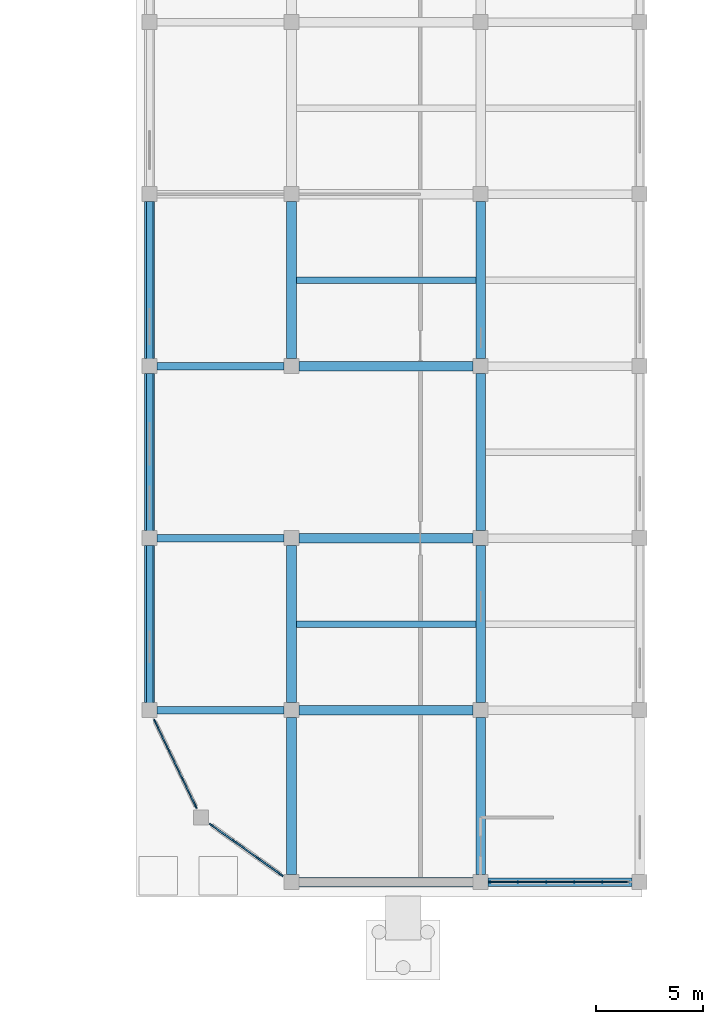
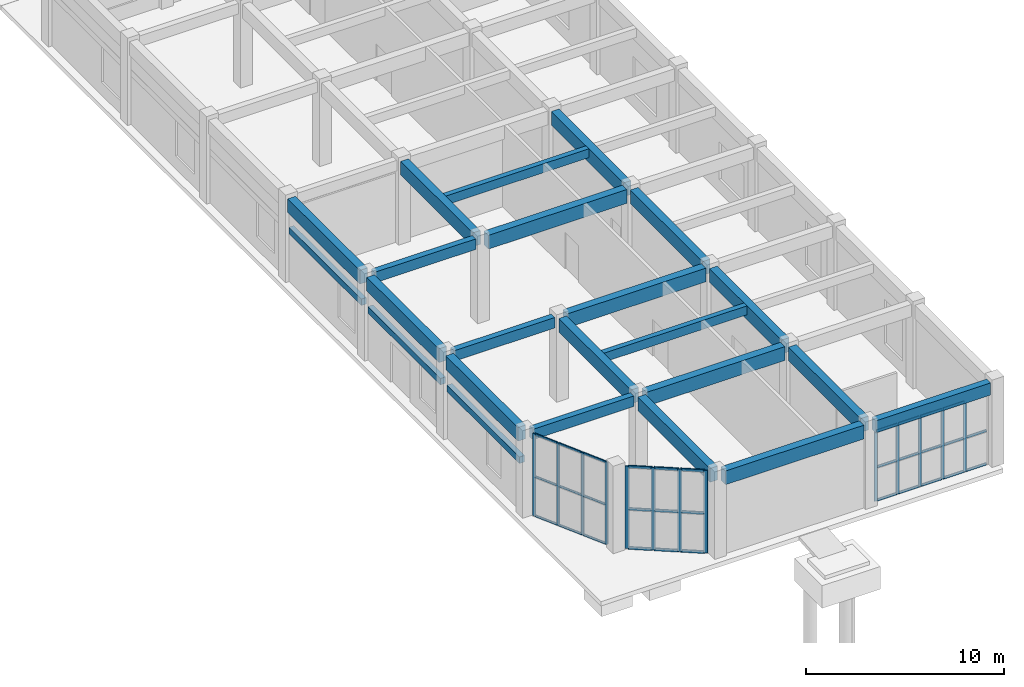
# One storey, part 17 of 46: 45 members, 23 beams, 3 elements without a shape of their own.
"""IFC4 building model written with IfcOpenShell, lengths in metres."""

from ifc_helpers import new_model, si_unit, direction, frame, origin, origin_2d, place, context, subcontext, project, spatial, rectangle, extrude, material, layer, layer_set, material_profile, profile_set, type_object, element, aggregate, save


model = new_model("IFC4")

# Units and contexts
model_context = context("Model", 3, precision=1e-05, world=origin(), true_north=direction((0.0, 1.0)))
body_context = subcontext(model_context, "Body", "Model", "MODEL_VIEW")
ifc_project = project(units=[si_unit("LENGTHUNIT", "METRE"), si_unit("AREAUNIT", "SQUARE_METRE"), si_unit("VOLUMEUNIT", "CUBIC_METRE"), si_unit("PLANEANGLEUNIT", "RADIAN"), si_unit("MASSUNIT", "GRAM", prefix="KILO")], contexts=[model_context])

# Site, building, storey
site_placement = place(None, origin())
site = spatial("IfcSite", under=ifc_project, at=site_placement, CompositionType="ELEMENT")
building_placement = place(site_placement, origin())
building = spatial("IfcBuilding", under=site, at=building_placement, Name="Cinchona Park Media Centre", CompositionType="ELEMENT")
storey_placement = place(building_placement, origin())
storey = spatial("IfcBuildingStorey", under=building, at=storey_placement, Name="L00", CompositionType="ELEMENT", Elevation=0.0)

# Beams
ifc_material_1 = material(Name="Concrete C35/45", Category="concrete")
ifc_material_profile_1 = material_profile(ifc_material_1, rectangle(XDim=0.39990234375, YDim=0.75, at=origin_2d()), Name="RB 400X750")
ifc_profile_set_1 = profile_set([ifc_material_profile_1], Name="Concrete C35/45")
beam_type_1 = type_object("IfcBeamType", Name="BEAM-B01-RB400X750", PredefinedType="BEAM", material=ifc_profile_set_1)
beam_placement = place(storey_placement, frame((164.949951171875, 7.60009765625, 4.764892578125), z_axis=(1.0, 0.0, 0.0), x_axis=(0.0, 1.0, 0.0)))
element("IfcBeam", 1, at=beam_placement, inside=storey, type_object=beam_type_1, Name="Beam B01 L00", PredefinedType="BEAM", context=body_context, shape_type="SweptSolid", body=[
    extrude(rectangle(XDim=0.39990234375, YDim=0.75, at=origin_2d()), origin(), (0.0, 0.0, 1.0), 6.699951171875),
])
ifc_material_2 = material(Name="Concrete C35/45", Category="concrete")
ifc_material_profile_2 = material_profile(ifc_material_2, rectangle(XDim=0.449951171875, YDim=0.85009765625, at=origin_2d()), Name="RB 450X850")
ifc_profile_set_2 = profile_set([ifc_material_profile_2], Name="Concrete C35/45")
beam_type_2 = type_object("IfcBeamType", Name="BEAM-B02-RB450X850", PredefinedType="BEAM", material=ifc_profile_set_2)
for number, where, z_axis, x_axis, name in (
    (2, (156.14990234375, 7.60009765625, 4.715087890625), (1.0, 0.0, 0.0), (0.0, 1.0, 0.0), "Beam B02 L00"),
    (3, (156.14990234375, 15.60009765625, 4.715087890625), (1.0, 0.0, 0.0), (0.0, 1.0, 0.0), "Beam B02 L00"),
    (4, (156.14990234375, 23.60009765625, 4.715087890625), (1.0, 0.0, 0.0), (0.0, 1.0, 0.0), "Beam B02 L00"),
    (5, (156.14990234375, 31.60009765625, 4.715087890625), (1.0, 0.0, 0.0), (0.0, 1.0, 0.0), "Beam B02 L00"),
):
    element("IfcBeam", number, at=place(storey_placement, frame(where, z_axis=z_axis, x_axis=x_axis)), inside=storey, type_object=beam_type_2, Name=name, PredefinedType="BEAM", context=body_context, shape_type="SweptSolid", body=[
        extrude(rectangle(XDim=0.449951171875, YDim=0.85009765625, at=origin_2d()), origin(), (0.0, 0.0, 1.0), 8.10009765625),
    ])
for number, where, z_axis, x_axis, name in (
    (6, (149.199951171875, 15.949951171875, 4.715087890625), (0.0, 1.0, 0.0), (-1.0, 0.0, 0.0), "Girder B02 L00"),
    (7, (149.199951171875, 23.949951171875, 4.715087890625), (0.0, 1.0, 0.0), (-1.0, 0.0, 0.0), "Girder B02 L00"),
    (8, (149.199951171875, 31.949951171875, 4.715087890625), (0.0, 1.0, 0.0), (-1.0, 0.0, 0.0), "Girder B02 L00"),
    (9, (155.800048828125, 7.949951171875, 4.715087890625), (0.0, 1.0, 0.0), (-1.0, 0.0, 0.0), "Girder B02 L00"),
    (10, (155.800048828125, 15.949951171875, 4.715087890625), (0.0, 1.0, 0.0), (-1.0, 0.0, 0.0), "Girder B02 L00"),
    (11, (155.800048828125, 31.949951171875, 4.715087890625), (0.0, 1.0, 0.0), (-1.0, 0.0, 0.0), "Girder B02 L00"),
    (12, (164.60009765625, 7.949951171875, 4.715087890625), (0.0, 1.0, 0.0), (-1.0, 0.0, 0.0), "Girder B02 L00"),
    (13, (164.60009765625, 15.949951171875, 4.715087890625), (0.0, 1.0, 0.0), (-1.0, 0.0, 0.0), "Girder B02 L00"),
    (14, (164.60009765625, 23.949951171875, 4.715087890625), (0.0, 1.0, 0.0), (-1.0, 0.0, 0.0), "Girder B02 L00"),
    (15, (164.60009765625, 31.949951171875, 4.715087890625), (0.0, 1.0, 0.0), (-1.0, 0.0, 0.0), "Girder B02 L00"),
):
    element("IfcBeam", number, at=place(storey_placement, frame(where, z_axis=z_axis, x_axis=x_axis)), inside=storey, type_object=beam_type_2, Name=name, PredefinedType="BEAM", context=body_context, shape_type="SweptSolid", body=[
        extrude(rectangle(XDim=0.449951171875, YDim=0.85009765625, at=origin_2d()), origin(), (0.0, 0.0, 1.0), 7.300048828125),
    ])
ifc_material_3 = material(Name="Concrete C35/45", Category="concrete")
ifc_material_profile_3 = material_profile(ifc_material_3, rectangle(XDim=0.35009765625, YDim=0.64990234375, at=origin_2d()), Name="RB 350X650")
ifc_profile_set_3 = profile_set([ifc_material_profile_3], Name="Concrete C35/45")
beam_type_3 = type_object("IfcBeamType", Name="BEAM-B04-RB350X650", PredefinedType="BEAM", material=ifc_profile_set_3)
for number, where, z_axis, x_axis, name in (
    (16, (149.550048828125, 15.60009765625, 4.81494140625), (1.0, 0.0, 0.0), (0.0, 1.0, 0.0), "Beam B04 L00"),
    (17, (149.550048828125, 23.60009765625, 4.81494140625), (1.0, 0.0, 0.0), (0.0, 1.0, 0.0), "Beam B04 L00"),
    (18, (149.550048828125, 31.60009765625, 4.81494140625), (1.0, 0.0, 0.0), (0.0, 1.0, 0.0), "Beam B04 L00"),
):
    element("IfcBeam", number, at=place(storey_placement, frame(where, z_axis=z_axis, x_axis=x_axis)), inside=storey, type_object=beam_type_3, Name=name, PredefinedType="BEAM", context=body_context, shape_type="SweptSolid", body=[
        extrude(rectangle(XDim=0.35009765625, YDim=0.64990234375, at=origin_2d()), origin(), (0.0, 0.0, 1.0), 5.89990234375),
    ])
ifc_material_4 = material(Name="Concrete C35/45", Category="concrete")
ifc_material_profile_4 = material_profile(ifc_material_4, rectangle(XDim=0.300048828125, YDim=0.550048828125, at=origin_2d()), Name="RB 300X550")
ifc_profile_set_4 = profile_set([ifc_material_profile_4], Name="Concrete C35/45")
beam_type_4 = type_object("IfcBeamType", Name="BEAM-J01-RB300X550", PredefinedType="JOIST", material=ifc_profile_set_4)
for number, where, z_axis, x_axis, name in (
    (19, (156.02490234375, 19.60009765625, 4.864990234375), (1.0, 0.0, 0.0), (0.0, 1.0, 0.0), "Floor Joist J01 L00"),
    (20, (156.02490234375, 35.60009765625, 4.864990234375), (1.0, 0.0, 0.0), (0.0, 1.0, 0.0), "Floor Joist J01 L00"),
):
    element("IfcBeam", number, at=place(storey_placement, frame(where, z_axis=z_axis, x_axis=x_axis)), inside=storey, type_object=beam_type_4, Name=name, PredefinedType="JOIST", context=body_context, shape_type="SweptSolid", body=[
        extrude(rectangle(XDim=0.300048828125, YDim=0.550048828125, at=origin_2d()), origin(), (0.0, 0.0, 1.0), 8.35009765625),
    ])
ifc_material_5 = material(Name="Concrete C35/45", Category="concrete")
ifc_material_profile_5 = material_profile(ifc_material_5, rectangle(XDim=0.300048828125, YDim=0.39990234375, at=origin_2d()), Name="RL 300X400")
ifc_profile_set_5 = profile_set([ifc_material_profile_5], Name="Concrete C35/45")
beam_type_5 = type_object("IfcBeamType", Name="BEAM-LN02-RL300X400", PredefinedType="LINTEL", material=ifc_profile_set_5)
for number, where, z_axis, x_axis, name in (
    (21, (149.199951171875, 15.929931640625, 3.10009765625), (0.0, 1.0, 0.0), (-1.0, 0.0, 0.0), "Window Lintel LN02"),
    (22, (149.199951171875, 23.929931640625, 3.10009765625), (0.0, 1.0, 0.0), (-1.0, 0.0, 0.0), "Window Lintel LN02"),
    (23, (149.199951171875, 31.929931640625, 3.14990234375), (0.0, 1.0, 0.0), (-1.0, 0.0, 0.0), "Window Lintel LN02"),
):
    element("IfcBeam", number, at=place(storey_placement, frame(where, z_axis=z_axis, x_axis=x_axis)), inside=storey, type_object=beam_type_5, Name=name, PredefinedType="LINTEL", context=body_context, shape_type="SweptSolid", body=[
        extrude(rectangle(XDim=0.300048828125, YDim=0.39990234375, at=origin_2d()), origin(), (0.0, 0.0, 1.0), 7.340087890625),
    ])

# Curtain wall, members
ifc_material_6 = material(Name="Aluminium Curtain Wall Framing", Category="aluminium")
ifc_layer_1 = layer(ifc_material_6, 0.22509765625)
ifc_layer_set_1 = layer_set([ifc_layer_1], Name="Aluminium Curtain Wall Framing")
curtain_wall_type_1 = type_object("IfcCurtainWallType", Name="CW-CW04", PredefinedType="USERDEFINED", material=ifc_layer_set_1)
curtain_wall_1_placement = place(storey_placement, origin())
curtain_wall_1 = element("IfcCurtainWall", 24, at=curtain_wall_1_placement, inside=storey, type_object=curtain_wall_type_1, Name="Curtain Wall CW04 L00", ObjectType="UNITISED CURTAIN WALL", PredefinedType="USERDEFINED")
ifc_material_7 = material(Name="Anodised Aluminium Alloy 6063-T6", Category="aluminium")
ifc_material_profile_6 = material_profile(ifc_material_7, rectangle(XDim=0.06494140625, YDim=0.159912109375, at=origin_2d()), Name="MUL-65X160")
ifc_profile_set_6 = profile_set([ifc_material_profile_6], Name="Anodised Aluminium Alloy 6063-T6")
member_type_1 = type_object("IfcMemberType", Name="MULLION-MUL01", PredefinedType="MULLION", material=ifc_profile_set_6)
member_1_placement = place(storey_placement, frame((151.35791015625, 11.104248046875, 0.050048828125), z_axis=(0.0, 0.0, 1.0), x_axis=(-0.901523057471, -0.43273106758, 0.0)))
member_1 = element("IfcMember", 25, at=member_1_placement, type_object=member_type_1, Name="CW04 mullion 1", PredefinedType="MULLION", context=body_context, shape_type="SweptSolid", body=[
    extrude(rectangle(XDim=0.06494140625, YDim=0.159912109375, at=origin_2d()), origin(), (0.0, 0.0, 1.0), 5.08984375),
])
member_2_placement = place(storey_placement, frame((150.72412109375, 12.425048828125, 0.050048828125), z_axis=(0.0, 0.0, 1.0), x_axis=(-0.901523057471, -0.43273106758, 0.0)))
member_2 = element("IfcMember", 26, at=member_2_placement, type_object=member_type_1, Name="CW04 mullion 2", PredefinedType="MULLION", context=body_context, shape_type="SweptSolid", body=[
    extrude(rectangle(XDim=0.06494140625, YDim=0.159912109375, at=origin_2d()), origin(), (0.0, 0.0, 1.0), 5.08984375),
])
member_3_placement = place(storey_placement, frame((150.075927734375, 13.77490234375, 0.050048828125), z_axis=(0.0, 0.0, 1.0), x_axis=(-0.901523057471, -0.43273106758, 0.0)))
member_3 = element("IfcMember", 27, at=member_3_placement, type_object=member_type_1, Name="CW04 mullion 3", PredefinedType="MULLION", context=body_context, shape_type="SweptSolid", body=[
    extrude(rectangle(XDim=0.06494140625, YDim=0.159912109375, at=origin_2d()), origin(), (0.0, 0.0, 1.0), 5.08984375),
])
member_4_placement = place(storey_placement, frame((149.442138671875, 15.095703125, 0.050048828125), z_axis=(0.0, 0.0, 1.0), x_axis=(-0.901523057471, -0.43273106758, 0.0)))
member_4 = element("IfcMember", 28, at=member_4_placement, type_object=member_type_1, Name="CW04 mullion 4", PredefinedType="MULLION", context=body_context, shape_type="SweptSolid", body=[
    extrude(rectangle(XDim=0.06494140625, YDim=0.159912109375, at=origin_2d()), origin(), (0.0, 0.0, 1.0), 5.08984375),
])

ifc_material_8 = material(Name="Aluminium Curtain Wall Framing", Category="aluminium")
ifc_layer_2 = layer(ifc_material_8, 0.239990234375)
ifc_layer_set_2 = layer_set([ifc_layer_2], Name="Aluminium Curtain Wall Framing")
curtain_wall_type_2 = type_object("IfcCurtainWallType", Name="CW-CW05", PredefinedType="USERDEFINED", material=ifc_layer_set_2)
curtain_wall_2_placement = place(storey_placement, origin())
curtain_wall_2 = element("IfcCurtainWall", 29, at=curtain_wall_2_placement, inside=storey, type_object=curtain_wall_type_2, Name="Curtain Wall CW05 L00", ObjectType="UNITISED CURTAIN WALL", PredefinedType="USERDEFINED")
ifc_material_9 = material(Name="Anodised Aluminium Alloy 6063-T6", Category="aluminium")
ifc_material_profile_7 = material_profile(ifc_material_9, rectangle(XDim=0.070068359375, YDim=0.179931640625, at=origin_2d()), Name="MUL-70X180")
ifc_profile_set_7 = profile_set([ifc_material_profile_7], Name="Anodised Aluminium Alloy 6063-T6")
member_type_2 = type_object("IfcMemberType", Name="MULLION-MUL02", PredefinedType="MULLION", material=ifc_profile_set_7)
member_5_placement = place(storey_placement, frame((170.26806640625, 7.60009765625, 0.050048828125), z_axis=(0.0, 0.0, 1.0), x_axis=(0.0, -1.0, 0.0)))
member_5 = element("IfcMember", 30, at=member_5_placement, type_object=member_type_2, Name="CW05 mullion 2", PredefinedType="MULLION", context=body_context, shape_type="SweptSolid", body=[
    extrude(rectangle(XDim=0.070068359375, YDim=0.179931640625, at=origin_2d()), origin(), (0.0, 0.0, 1.0), 4.33984375),
])
member_6_placement = place(storey_placement, frame((168.9560546875, 7.60009765625, 0.050048828125), z_axis=(0.0, 0.0, 1.0), x_axis=(0.0, -1.0, 0.0)))
member_6 = element("IfcMember", 31, at=member_6_placement, type_object=member_type_2, Name="CW05 mullion 3", PredefinedType="MULLION", context=body_context, shape_type="SweptSolid", body=[
    extrude(rectangle(XDim=0.070068359375, YDim=0.179931640625, at=origin_2d()), origin(), (0.0, 0.0, 1.0), 4.33984375),
])
member_7_placement = place(storey_placement, frame((167.64404296875, 7.60009765625, 0.050048828125), z_axis=(0.0, 0.0, 1.0), x_axis=(0.0, -1.0, 0.0)))
member_7 = element("IfcMember", 32, at=member_7_placement, type_object=member_type_2, Name="CW05 mullion 4", PredefinedType="MULLION", context=body_context, shape_type="SweptSolid", body=[
    extrude(rectangle(XDim=0.070068359375, YDim=0.179931640625, at=origin_2d()), origin(), (0.0, 0.0, 1.0), 4.33984375),
])
member_8_placement = place(storey_placement, frame((166.33203125, 7.60009765625, 0.050048828125), z_axis=(0.0, 0.0, 1.0), x_axis=(0.0, -1.0, 0.0)))
member_8 = element("IfcMember", 33, at=member_8_placement, type_object=member_type_2, Name="CW05 mullion 5", PredefinedType="MULLION", context=body_context, shape_type="SweptSolid", body=[
    extrude(rectangle(XDim=0.070068359375, YDim=0.179931640625, at=origin_2d()), origin(), (0.0, 0.0, 1.0), 4.33984375),
])
member_9_placement = place(storey_placement, frame((165.054931640625, 7.60009765625, 0.050048828125), z_axis=(0.0, 0.0, 1.0), x_axis=(0.0, -1.0, 0.0)))
member_9 = element("IfcMember", 34, at=member_9_placement, type_object=member_type_2, Name="CW05 mullion 6", PredefinedType="MULLION", context=body_context, shape_type="SweptSolid", body=[
    extrude(rectangle(XDim=0.070068359375, YDim=0.179931640625, at=origin_2d()), origin(), (0.0, 0.0, 1.0), 4.33984375),
])

ifc_material_10 = material(Name="Aluminium Curtain Wall Framing", Category="aluminium")
ifc_layer_3 = layer(ifc_material_10, 0.2548828125)
ifc_layer_set_3 = layer_set([ifc_layer_3], Name="Aluminium Curtain Wall Framing")
curtain_wall_type_3 = type_object("IfcCurtainWallType", Name="CW-CW06", PredefinedType="USERDEFINED", material=ifc_layer_set_3)
curtain_wall_3_placement = place(storey_placement, origin())
curtain_wall_3 = element("IfcCurtainWall", 35, at=curtain_wall_3_placement, inside=storey, type_object=curtain_wall_type_3, Name="Curtain Wall CW06 L00", ObjectType="UNITISED CURTAIN WALL", PredefinedType="USERDEFINED")
ifc_material_11 = material(Name="Anodised Aluminium Alloy 6063-T6", Category="aluminium")
ifc_material_profile_8 = material_profile(ifc_material_11, rectangle(XDim=0.074951171875, YDim=0.2099609375, at=origin_2d()), Name="MUL-75X210")
ifc_profile_set_8 = profile_set([ifc_material_profile_8], Name="Anodised Aluminium Alloy 6063-T6")
member_type_3 = type_object("IfcMemberType", Name="MULLION-MUL03", PredefinedType="MULLION", material=ifc_profile_set_8)
member_10_placement = place(storey_placement, frame((155.323486328125, 7.939697265625, 0.050048828125), z_axis=(0.0, 0.0, 1.0), x_axis=(-0.581424302355, -0.813600504321, 0.0)))
member_10 = element("IfcMember", 36, at=member_10_placement, type_object=member_type_3, Name="CW06 mullion 1", PredefinedType="MULLION", context=body_context, shape_type="SweptSolid", body=[
    extrude(rectangle(XDim=0.074951171875, YDim=0.2099609375, at=origin_2d()), origin(), (0.0, 0.0, 1.0), 5.08984375),
])
member_11_placement = place(storey_placement, frame((154.251220703125, 8.7060546875, 0.050048828125), z_axis=(0.0, 0.0, 1.0), x_axis=(-0.581424302355, -0.813600504321, 0.0)))
member_11 = element("IfcMember", 37, at=member_11_placement, type_object=member_type_3, Name="CW06 mullion 2", PredefinedType="MULLION", context=body_context, shape_type="SweptSolid", body=[
    extrude(rectangle(XDim=0.074951171875, YDim=0.2099609375, at=origin_2d()), origin(), (0.0, 0.0, 1.0), 5.08984375),
])
member_12_placement = place(storey_placement, frame((153.148681640625, 9.493896484375, 0.050048828125), z_axis=(0.0, 0.0, 1.0), x_axis=(-0.581424302355, -0.813600504321, 0.0)))
member_12 = element("IfcMember", 38, at=member_12_placement, type_object=member_type_3, Name="CW06 mullion 3", PredefinedType="MULLION", context=body_context, shape_type="SweptSolid", body=[
    extrude(rectangle(XDim=0.074951171875, YDim=0.2099609375, at=origin_2d()), origin(), (0.0, 0.0, 1.0), 5.08984375),
])
member_13_placement = place(storey_placement, frame((152.076416015625, 10.26025390625, 0.050048828125), z_axis=(0.0, 0.0, 1.0), x_axis=(-0.581424302355, -0.813600504321, 0.0)))
member_13 = element("IfcMember", 39, at=member_13_placement, type_object=member_type_3, Name="CW06 mullion 4", PredefinedType="MULLION", context=body_context, shape_type="SweptSolid", body=[
    extrude(rectangle(XDim=0.074951171875, YDim=0.2099609375, at=origin_2d()), origin(), (0.0, 0.0, 1.0), 5.08984375),
])

# Member
ifc_material_12 = material(Name="Anodised Aluminium Alloy 6063-T6", Category="aluminium")
ifc_material_profile_9 = material_profile(ifc_material_12, rectangle(XDim=0.06494140625, YDim=0.1201171875, at=origin_2d()), Name="TRN-65X120")
ifc_profile_set_9 = profile_set([ifc_material_profile_9], Name="Anodised Aluminium Alloy 6063-T6")
member_type_4 = type_object("IfcMemberType", Name="TRANSOM-TRN01", PredefinedType="USERDEFINED", material=ifc_profile_set_9)
member_14_placement = place(storey_placement, frame((151.343994140625, 11.133544921875, 0.08251953125), z_axis=(-0.432787754171, 0.901495845714, 0.0), x_axis=(-0.901495845714, -0.432787754171, 0.0)))
member_14 = element("IfcMember", 40, at=member_14_placement, type_object=member_type_4, Name="CW04 transom 1.1", ObjectType="TRANSOM", PredefinedType="USERDEFINED", context=body_context, shape_type="SweptSolid", body=[
    extrude(rectangle(XDim=0.06494140625, YDim=0.1201171875, at=origin_2d()), origin(), (0.0, 0.0, 1.0), 1.400146484375),
])

member_15_placement = place(storey_placement, frame((151.343994140625, 11.133544921875, 2.492919921875), z_axis=(-0.432787754171, 0.901495845714, 0.0), x_axis=(-0.901495845714, -0.432787754171, 0.0)))
member_15 = element("IfcMember", 41, at=member_15_placement, type_object=member_type_4, Name="CW04 transom 1.2", ObjectType="TRANSOM", PredefinedType="USERDEFINED", context=body_context, shape_type="SweptSolid", body=[
    extrude(rectangle(XDim=0.06494140625, YDim=0.1201171875, at=origin_2d()), origin(), (0.0, 0.0, 1.0), 1.400146484375),
])

member_16_placement = place(storey_placement, frame((151.343994140625, 11.133544921875, 5.107421875), z_axis=(-0.432787754171, 0.901495845714, 0.0), x_axis=(-0.901495845714, -0.432787754171, 0.0)))
member_16 = element("IfcMember", 42, at=member_16_placement, type_object=member_type_4, Name="CW04 transom 1.3", ObjectType="TRANSOM", PredefinedType="USERDEFINED", context=body_context, shape_type="SweptSolid", body=[
    extrude(rectangle(XDim=0.06494140625, YDim=0.1201171875, at=origin_2d()), origin(), (0.0, 0.0, 1.0), 1.400146484375),
])

member_17_placement = place(storey_placement, frame((150.7099609375, 12.454345703125, 0.08251953125), z_axis=(-0.432769855954, 0.901504438024, 0.0), x_axis=(-0.901504438024, -0.432769855954, 0.0)))
member_17 = element("IfcMember", 43, at=member_17_placement, type_object=member_type_4, Name="CW04 transom 2.1", ObjectType="TRANSOM", PredefinedType="USERDEFINED", context=body_context, shape_type="SweptSolid", body=[
    extrude(rectangle(XDim=0.06494140625, YDim=0.1201171875, at=origin_2d()), origin(), (0.0, 0.0, 1.0), 1.432373046875),
])

member_18_placement = place(storey_placement, frame((150.7099609375, 12.454345703125, 2.492919921875), z_axis=(-0.432769855954, 0.901504438024, 0.0), x_axis=(-0.901504438024, -0.432769855954, 0.0)))
member_18 = element("IfcMember", 44, at=member_18_placement, type_object=member_type_4, Name="CW04 transom 2.2", ObjectType="TRANSOM", PredefinedType="USERDEFINED", context=body_context, shape_type="SweptSolid", body=[
    extrude(rectangle(XDim=0.06494140625, YDim=0.1201171875, at=origin_2d()), origin(), (0.0, 0.0, 1.0), 1.432373046875),
])

member_19_placement = place(storey_placement, frame((150.7099609375, 12.454345703125, 5.107421875), z_axis=(-0.432769855954, 0.901504438024, 0.0), x_axis=(-0.901504438024, -0.432769855954, 0.0)))
member_19 = element("IfcMember", 45, at=member_19_placement, type_object=member_type_4, Name="CW04 transom 2.3", ObjectType="TRANSOM", PredefinedType="USERDEFINED", context=body_context, shape_type="SweptSolid", body=[
    extrude(rectangle(XDim=0.06494140625, YDim=0.1201171875, at=origin_2d()), origin(), (0.0, 0.0, 1.0), 1.432373046875),
])

member_20_placement = place(storey_placement, frame((150.06201171875, 13.80419921875, 0.08251953125), z_axis=(-0.432787754171, 0.901495845714, 0.0), x_axis=(-0.901495845714, -0.432787754171, 0.0)))
member_20 = element("IfcMember", 46, at=member_20_placement, type_object=member_type_4, Name="CW04 transom 3.1", ObjectType="TRANSOM", PredefinedType="USERDEFINED", context=body_context, shape_type="SweptSolid", body=[
    extrude(rectangle(XDim=0.06494140625, YDim=0.1201171875, at=origin_2d()), origin(), (0.0, 0.0, 1.0), 1.400146484375),
])

member_21_placement = place(storey_placement, frame((150.06201171875, 13.80419921875, 2.492919921875), z_axis=(-0.432787754171, 0.901495845714, 0.0), x_axis=(-0.901495845714, -0.432787754171, 0.0)))
member_21 = element("IfcMember", 47, at=member_21_placement, type_object=member_type_4, Name="CW04 transom 3.2", ObjectType="TRANSOM", PredefinedType="USERDEFINED", context=body_context, shape_type="SweptSolid", body=[
    extrude(rectangle(XDim=0.06494140625, YDim=0.1201171875, at=origin_2d()), origin(), (0.0, 0.0, 1.0), 1.400146484375),
])

member_22_placement = place(storey_placement, frame((150.06201171875, 13.80419921875, 5.107421875), z_axis=(-0.432787754171, 0.901495845714, 0.0), x_axis=(-0.901495845714, -0.432787754171, 0.0)))
member_22 = element("IfcMember", 48, at=member_22_placement, type_object=member_type_4, Name="CW04 transom 3.3", ObjectType="TRANSOM", PredefinedType="USERDEFINED", context=body_context, shape_type="SweptSolid", body=[
    extrude(rectangle(XDim=0.06494140625, YDim=0.1201171875, at=origin_2d()), origin(), (0.0, 0.0, 1.0), 1.400146484375),
])

aggregate(curtain_wall_1, [member_1, member_2, member_3, member_4, member_14, member_15, member_16, member_17, member_18, member_19, member_20, member_21, member_22])

ifc_material_13 = material(Name="Anodised Aluminium Alloy 6063-T6", Category="aluminium")
ifc_material_profile_10 = material_profile(ifc_material_13, rectangle(XDim=0.070068359375, YDim=0.139892578125, at=origin_2d()), Name="TRN-70X140")
ifc_profile_set_10 = profile_set([ifc_material_profile_10], Name="Anodised Aluminium Alloy 6063-T6")
member_type_5 = type_object("IfcMemberType", Name="TRANSOM-TRN02", PredefinedType="USERDEFINED", material=ifc_profile_set_10)
member_23_placement = place(storey_placement, frame((171.510009765625, 7.60009765625, 0.0849609375), z_axis=(-1.0, 0.0, 0.0), x_axis=(0.0, -1.0, 0.0)))
member_23 = element("IfcMember", 49, at=member_23_placement, type_object=member_type_5, Name="CW05 transom 1.1", ObjectType="TRANSOM", PredefinedType="USERDEFINED", context=body_context, shape_type="SweptSolid", body=[
    extrude(rectangle(XDim=0.070068359375, YDim=0.139892578125, at=origin_2d()), origin(), (0.0, 0.0, 1.0), 1.20703125),
])

member_24_placement = place(storey_placement, frame((171.510009765625, 7.60009765625, 2.133056640625), z_axis=(-1.0, 0.0, 0.0), x_axis=(0.0, -1.0, 0.0)))
member_24 = element("IfcMember", 50, at=member_24_placement, type_object=member_type_5, Name="CW05 transom 1.2", ObjectType="TRANSOM", PredefinedType="USERDEFINED", context=body_context, shape_type="SweptSolid", body=[
    extrude(rectangle(XDim=0.070068359375, YDim=0.139892578125, at=origin_2d()), origin(), (0.0, 0.0, 1.0), 1.20703125),
])

member_25_placement = place(storey_placement, frame((170.23291015625, 7.60009765625, 0.0849609375), z_axis=(-1.0, 0.0, 0.0), x_axis=(0.0, -1.0, 0.0)))
member_25 = element("IfcMember", 51, at=member_25_placement, type_object=member_type_5, Name="CW05 transom 2.1", ObjectType="TRANSOM", PredefinedType="USERDEFINED", context=body_context, shape_type="SweptSolid", body=[
    extrude(rectangle(XDim=0.070068359375, YDim=0.139892578125, at=origin_2d()), origin(), (0.0, 0.0, 1.0), 1.241943359375),
])

member_26_placement = place(storey_placement, frame((170.23291015625, 7.60009765625, 2.133056640625), z_axis=(-1.0, 0.0, 0.0), x_axis=(0.0, -1.0, 0.0)))
member_26 = element("IfcMember", 52, at=member_26_placement, type_object=member_type_5, Name="CW05 transom 2.2", ObjectType="TRANSOM", PredefinedType="USERDEFINED", context=body_context, shape_type="SweptSolid", body=[
    extrude(rectangle(XDim=0.070068359375, YDim=0.139892578125, at=origin_2d()), origin(), (0.0, 0.0, 1.0), 1.241943359375),
])

member_27_placement = place(storey_placement, frame((170.23291015625, 7.60009765625, 4.35498046875), z_axis=(-1.0, 0.0, 0.0), x_axis=(0.0, -1.0, 0.0)))
member_27 = element("IfcMember", 53, at=member_27_placement, type_object=member_type_5, Name="CW05 transom 2.3", ObjectType="TRANSOM", PredefinedType="USERDEFINED", context=body_context, shape_type="SweptSolid", body=[
    extrude(rectangle(XDim=0.070068359375, YDim=0.139892578125, at=origin_2d()), origin(), (0.0, 0.0, 1.0), 1.241943359375),
])

member_28_placement = place(storey_placement, frame((168.9208984375, 7.60009765625, 0.0849609375), z_axis=(-1.0, 0.0, 0.0), x_axis=(0.0, -1.0, 0.0)))
member_28 = element("IfcMember", 54, at=member_28_placement, type_object=member_type_5, Name="CW05 transom 3.1", ObjectType="TRANSOM", PredefinedType="USERDEFINED", context=body_context, shape_type="SweptSolid", body=[
    extrude(rectangle(XDim=0.070068359375, YDim=0.139892578125, at=origin_2d()), origin(), (0.0, 0.0, 1.0), 1.241943359375),
])

member_29_placement = place(storey_placement, frame((168.9208984375, 7.60009765625, 2.133056640625), z_axis=(-1.0, 0.0, 0.0), x_axis=(0.0, -1.0, 0.0)))
member_29 = element("IfcMember", 55, at=member_29_placement, type_object=member_type_5, Name="CW05 transom 3.2", ObjectType="TRANSOM", PredefinedType="USERDEFINED", context=body_context, shape_type="SweptSolid", body=[
    extrude(rectangle(XDim=0.070068359375, YDim=0.139892578125, at=origin_2d()), origin(), (0.0, 0.0, 1.0), 1.241943359375),
])

member_30_placement = place(storey_placement, frame((168.9208984375, 7.60009765625, 4.35498046875), z_axis=(-1.0, 0.0, 0.0), x_axis=(0.0, -1.0, 0.0)))
member_30 = element("IfcMember", 56, at=member_30_placement, type_object=member_type_5, Name="CW05 transom 3.3", ObjectType="TRANSOM", PredefinedType="USERDEFINED", context=body_context, shape_type="SweptSolid", body=[
    extrude(rectangle(XDim=0.070068359375, YDim=0.139892578125, at=origin_2d()), origin(), (0.0, 0.0, 1.0), 1.241943359375),
])

member_31_placement = place(storey_placement, frame((167.60888671875, 7.60009765625, 0.0849609375), z_axis=(-1.0, 0.0, 0.0), x_axis=(0.0, -1.0, 0.0)))
member_31 = element("IfcMember", 57, at=member_31_placement, type_object=member_type_5, Name="CW05 transom 4.1", ObjectType="TRANSOM", PredefinedType="USERDEFINED", context=body_context, shape_type="SweptSolid", body=[
    extrude(rectangle(XDim=0.070068359375, YDim=0.139892578125, at=origin_2d()), origin(), (0.0, 0.0, 1.0), 1.241943359375),
])

member_32_placement = place(storey_placement, frame((167.60888671875, 7.60009765625, 2.133056640625), z_axis=(-1.0, 0.0, 0.0), x_axis=(0.0, -1.0, 0.0)))
member_32 = element("IfcMember", 58, at=member_32_placement, type_object=member_type_5, Name="CW05 transom 4.2", ObjectType="TRANSOM", PredefinedType="USERDEFINED", context=body_context, shape_type="SweptSolid", body=[
    extrude(rectangle(XDim=0.070068359375, YDim=0.139892578125, at=origin_2d()), origin(), (0.0, 0.0, 1.0), 1.241943359375),
])

member_33_placement = place(storey_placement, frame((167.60888671875, 7.60009765625, 4.35498046875), z_axis=(-1.0, 0.0, 0.0), x_axis=(0.0, -1.0, 0.0)))
member_33 = element("IfcMember", 59, at=member_33_placement, type_object=member_type_5, Name="CW05 transom 4.3", ObjectType="TRANSOM", PredefinedType="USERDEFINED", context=body_context, shape_type="SweptSolid", body=[
    extrude(rectangle(XDim=0.070068359375, YDim=0.139892578125, at=origin_2d()), origin(), (0.0, 0.0, 1.0), 1.241943359375),
])

member_34_placement = place(storey_placement, frame((166.297119140625, 7.60009765625, 0.0849609375), z_axis=(-1.0, 0.0, 0.0), x_axis=(0.0, -1.0, 0.0)))
member_34 = element("IfcMember", 60, at=member_34_placement, type_object=member_type_5, Name="CW05 transom 5.1", ObjectType="TRANSOM", PredefinedType="USERDEFINED", context=body_context, shape_type="SweptSolid", body=[
    extrude(rectangle(XDim=0.070068359375, YDim=0.139892578125, at=origin_2d()), origin(), (0.0, 0.0, 1.0), 1.20703125),
])

member_35_placement = place(storey_placement, frame((166.297119140625, 7.60009765625, 2.133056640625), z_axis=(-1.0, 0.0, 0.0), x_axis=(0.0, -1.0, 0.0)))
member_35 = element("IfcMember", 61, at=member_35_placement, type_object=member_type_5, Name="CW05 transom 5.2", ObjectType="TRANSOM", PredefinedType="USERDEFINED", context=body_context, shape_type="SweptSolid", body=[
    extrude(rectangle(XDim=0.070068359375, YDim=0.139892578125, at=origin_2d()), origin(), (0.0, 0.0, 1.0), 1.20703125),
])

member_36_placement = place(storey_placement, frame((166.297119140625, 7.60009765625, 4.35498046875), z_axis=(-1.0, 0.0, 0.0), x_axis=(0.0, -1.0, 0.0)))
member_36 = element("IfcMember", 62, at=member_36_placement, type_object=member_type_5, Name="CW05 transom 5.3", ObjectType="TRANSOM", PredefinedType="USERDEFINED", context=body_context, shape_type="SweptSolid", body=[
    extrude(rectangle(XDim=0.070068359375, YDim=0.139892578125, at=origin_2d()), origin(), (0.0, 0.0, 1.0), 1.20703125),
])

aggregate(curtain_wall_2, [member_5, member_6, member_7, member_8, member_9, member_23, member_24, member_25, member_26, member_27, member_28, member_29, member_30, member_31, member_32, member_33, member_34, member_35, member_36])

ifc_material_14 = material(Name="Anodised Aluminium Alloy 6063-T6", Category="aluminium")
ifc_material_profile_11 = material_profile(ifc_material_14, rectangle(XDim=0.074951171875, YDim=0.159912109375, at=origin_2d()), Name="TRN-75X160")
ifc_profile_set_11 = profile_set([ifc_material_profile_11], Name="Anodised Aluminium Alloy 6063-T6")
member_type_6 = type_object("IfcMemberType", Name="TRANSOM-TRN03", PredefinedType="USERDEFINED", material=ifc_profile_set_11)
member_37_placement = place(storey_placement, frame((155.29296875, 7.961669921875, 0.08740234375), z_axis=(-0.813693648461, 0.581293941525, 0.0), x_axis=(-0.581293941525, -0.813693648461, 0.0)))
member_37 = element("IfcMember", 63, at=member_37_placement, type_object=member_type_6, Name="CW06 transom 1.1", ObjectType="TRANSOM", PredefinedType="USERDEFINED", context=body_context, shape_type="SweptSolid", body=[
    extrude(rectangle(XDim=0.074951171875, YDim=0.159912109375, at=origin_2d()), origin(), (0.0, 0.0, 1.0), 1.24267578125),
])

member_38_placement = place(storey_placement, frame((155.29296875, 7.961669921875, 2.492919921875), z_axis=(-0.813693648461, 0.581293941525, 0.0), x_axis=(-0.581293941525, -0.813693648461, 0.0)))
member_38 = element("IfcMember", 64, at=member_38_placement, type_object=member_type_6, Name="CW06 transom 1.2", ObjectType="TRANSOM", PredefinedType="USERDEFINED", context=body_context, shape_type="SweptSolid", body=[
    extrude(rectangle(XDim=0.074951171875, YDim=0.159912109375, at=origin_2d()), origin(), (0.0, 0.0, 1.0), 1.24267578125),
])

member_39_placement = place(storey_placement, frame((155.29296875, 7.961669921875, 5.1025390625), z_axis=(-0.813693648461, 0.581293941525, 0.0), x_axis=(-0.581293941525, -0.813693648461, 0.0)))
member_39 = element("IfcMember", 65, at=member_39_placement, type_object=member_type_6, Name="CW06 transom 1.3", ObjectType="TRANSOM", PredefinedType="USERDEFINED", context=body_context, shape_type="SweptSolid", body=[
    extrude(rectangle(XDim=0.074951171875, YDim=0.159912109375, at=origin_2d()), origin(), (0.0, 0.0, 1.0), 1.24267578125),
])

member_40_placement = place(storey_placement, frame((154.220703125, 8.727783203125, 0.08740234375), z_axis=(-0.813565922476, 0.58147269049, 0.0), x_axis=(-0.58147269049, -0.813565922476, 0.0)))
member_40 = element("IfcMember", 66, at=member_40_placement, type_object=member_type_6, Name="CW06 transom 2.1", ObjectType="TRANSOM", PredefinedType="USERDEFINED", context=body_context, shape_type="SweptSolid", body=[
    extrude(rectangle(XDim=0.074951171875, YDim=0.159912109375, at=origin_2d()), origin(), (0.0, 0.0, 1.0), 1.2802734375),
])

member_41_placement = place(storey_placement, frame((154.220703125, 8.727783203125, 2.492919921875), z_axis=(-0.813565922476, 0.58147269049, 0.0), x_axis=(-0.58147269049, -0.813565922476, 0.0)))
member_41 = element("IfcMember", 67, at=member_41_placement, type_object=member_type_6, Name="CW06 transom 2.2", ObjectType="TRANSOM", PredefinedType="USERDEFINED", context=body_context, shape_type="SweptSolid", body=[
    extrude(rectangle(XDim=0.074951171875, YDim=0.159912109375, at=origin_2d()), origin(), (0.0, 0.0, 1.0), 1.2802734375),
])

member_42_placement = place(storey_placement, frame((154.220703125, 8.727783203125, 5.1025390625), z_axis=(-0.813565922476, 0.58147269049, 0.0), x_axis=(-0.58147269049, -0.813565922476, 0.0)))
member_42 = element("IfcMember", 68, at=member_42_placement, type_object=member_type_6, Name="CW06 transom 2.3", ObjectType="TRANSOM", PredefinedType="USERDEFINED", context=body_context, shape_type="SweptSolid", body=[
    extrude(rectangle(XDim=0.074951171875, YDim=0.159912109375, at=origin_2d()), origin(), (0.0, 0.0, 1.0), 1.2802734375),
])

member_43_placement = place(storey_placement, frame((153.1181640625, 9.515869140625, 0.08740234375), z_axis=(-0.813693648461, 0.581293941525, 0.0), x_axis=(-0.581293941525, -0.813693648461, 0.0)))
member_43 = element("IfcMember", 69, at=member_43_placement, type_object=member_type_6, Name="CW06 transom 3.1", ObjectType="TRANSOM", PredefinedType="USERDEFINED", context=body_context, shape_type="SweptSolid", body=[
    extrude(rectangle(XDim=0.074951171875, YDim=0.159912109375, at=origin_2d()), origin(), (0.0, 0.0, 1.0), 1.24267578125),
])

member_44_placement = place(storey_placement, frame((153.1181640625, 9.515869140625, 2.492919921875), z_axis=(-0.813693648461, 0.581293941525, 0.0), x_axis=(-0.581293941525, -0.813693648461, 0.0)))
member_44 = element("IfcMember", 70, at=member_44_placement, type_object=member_type_6, Name="CW06 transom 3.2", ObjectType="TRANSOM", PredefinedType="USERDEFINED", context=body_context, shape_type="SweptSolid", body=[
    extrude(rectangle(XDim=0.074951171875, YDim=0.159912109375, at=origin_2d()), origin(), (0.0, 0.0, 1.0), 1.24267578125),
])

member_45_placement = place(storey_placement, frame((153.1181640625, 9.515869140625, 5.1025390625), z_axis=(-0.813693648461, 0.581293941525, 0.0), x_axis=(-0.581293941525, -0.813693648461, 0.0)))
member_45 = element("IfcMember", 71, at=member_45_placement, type_object=member_type_6, Name="CW06 transom 3.3", ObjectType="TRANSOM", PredefinedType="USERDEFINED", context=body_context, shape_type="SweptSolid", body=[
    extrude(rectangle(XDim=0.074951171875, YDim=0.159912109375, at=origin_2d()), origin(), (0.0, 0.0, 1.0), 1.24267578125),
])

aggregate(curtain_wall_3, [member_10, member_11, member_12, member_13, member_37, member_38, member_39, member_40, member_41, member_42, member_43, member_44, member_45])

save(model, "model.ifc")
